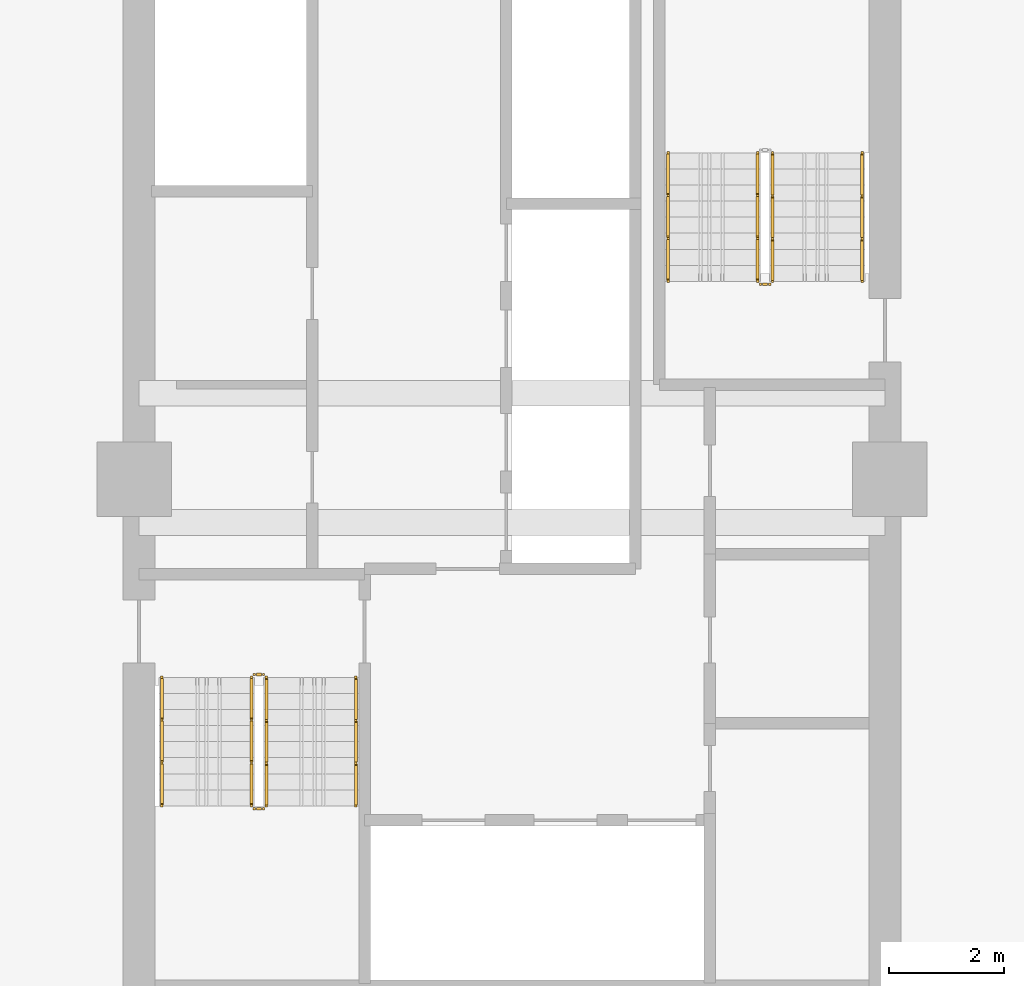
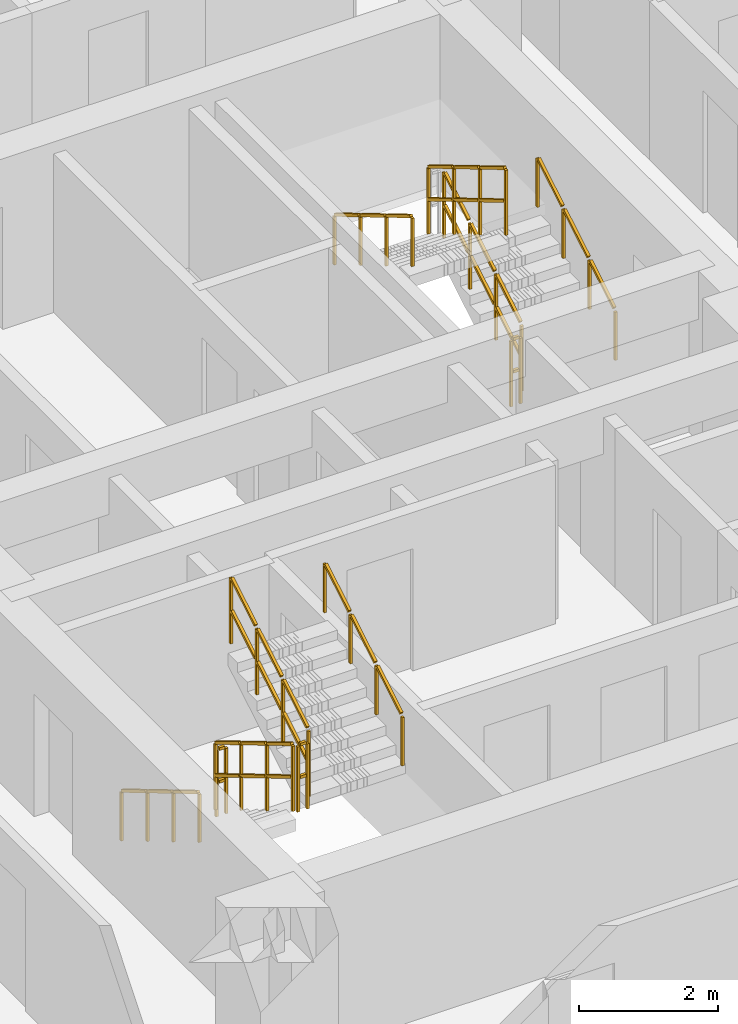
# One storey, part 10 of 12: 11 railings.
"""IFC4 building model written with IfcOpenShell, lengths in metres."""

from ifc_helpers import new_model, si_unit, direction, frame, origin, origin_2d, place, context, subcontext, project, spatial, rectangle, extrude, material, type_object, element, save


model = new_model("IFC4")

# Units and contexts
model_context = context("Model", 3, precision=1e-05, world=origin(), true_north=direction((0.0, 1.0)))
body_context = subcontext(model_context, "Body", "Model", "MODEL_VIEW")
ifc_project = project(units=[si_unit("LENGTHUNIT", "METRE"), si_unit("AREAUNIT", "SQUARE_METRE"), si_unit("VOLUMEUNIT", "CUBIC_METRE"), si_unit("PLANEANGLEUNIT", "RADIAN"), si_unit("MASSUNIT", "GRAM", prefix="KILO")], contexts=[model_context])

# Site, building, storey
site_placement = place(None, origin())
site = spatial("IfcSite", under=ifc_project, at=site_placement, CompositionType="ELEMENT")
building_placement = place(site_placement, origin())
building = spatial("IfcBuilding", under=site, at=building_placement, Name="Saelheon Loggia Tower", CompositionType="ELEMENT")
storey_placement = place(building_placement, frame((0.0, 0.0, 95.85009765625)))
storey = spatial("IfcBuildingStorey", under=building, at=storey_placement, Name="L30", CompositionType="ELEMENT", Elevation=95.85009765625)

# Railings
ifc_material_1 = material(Name="Galvanised Steel S275 Stairwell Guardrail", Category="steel")
railing_type_1 = type_object("IfcRailingType", Name="Guard_StairWell_RL_STG", PredefinedType="GUARDRAIL", material=ifc_material_1)
railing_1_placement = place(storey_placement, frame((33.4599609375, 23.550048828125, 0.16650390625)))
element("IfcRailing", 1, at=railing_1_placement, inside=storey, type_object=railing_type_1, Name="L30 ST1 stair guard 1", PredefinedType="GUARDRAIL", context=body_context, shape_type="SweptSolid", body=[
    extrude(rectangle(XDim=0.048095703125, YDim=0.048095703125, at=origin_2d()), frame((0.0, -0.028564453125, 1.19287109375), z_axis=(0.0, -0.859264461869, 0.511531606619), x_axis=(1.0, 0.0, 0.0)), (0.0, 0.0, 1.0), 0.802490234375),
    extrude(rectangle(XDim=0.048095703125, YDim=0.048095703125, at=origin_2d()), frame((0.0, -0.028564453125, 0.616943359375), z_axis=(0.0, -0.859264461869, 0.511531606619), x_axis=(1.0, 0.0, 0.0)), (0.0, 0.0, 1.0), 0.802490234375),
    extrude(rectangle(XDim=0.048095703125, YDim=0.048095703125, at=origin_2d()), frame((0.0, -0.775146484375, 1.637451171875), z_axis=(0.0, -0.859264461869, 0.511531606619), x_axis=(1.0, 0.0, 0.0)), (0.0, 0.0, 1.0), 0.802490234375),
    extrude(rectangle(XDim=0.048095703125, YDim=0.048095703125, at=origin_2d()), frame((0.0, -0.775146484375, 1.0615234375), z_axis=(0.0, -0.859264461869, 0.511531606619), x_axis=(1.0, 0.0, 0.0)), (0.0, 0.0, 1.0), 0.802490234375),
    extrude(rectangle(XDim=0.048095703125, YDim=0.048095703125, at=origin_2d()), frame((0.0, -1.52197265625, 2.081787109375), z_axis=(0.0, -0.859264461869, 0.511531606619), x_axis=(1.0, 0.0, 0.0)), (0.0, 0.0, 1.0), 0.802490234375),
    extrude(rectangle(XDim=0.048095703125, YDim=0.048095703125, at=origin_2d()), frame((0.0, -1.52197265625, 1.505859375), z_axis=(0.0, -0.859264461869, 0.511531606619), x_axis=(1.0, 0.0, 0.0)), (0.0, 0.0, 1.0), 0.802490234375),
    extrude(rectangle(XDim=0.0419921875, YDim=0.0419921875, at=origin_2d()), origin(), (0.0, 0.0, 1.0), 1.14794921875),
    extrude(rectangle(XDim=0.0419921875, YDim=0.0419921875, at=origin_2d()), frame((0.0, -0.74658203125, 0.444580078125)), (0.0, 0.0, 1.0), 1.14794921875),
    extrude(rectangle(XDim=0.0419921875, YDim=0.0419921875, at=origin_2d()), frame((0.0, -1.493408203125, 0.888916015625)), (0.0, 0.0, 1.0), 1.14794921875),
    extrude(rectangle(XDim=0.0419921875, YDim=0.0419921875, at=origin_2d()), frame((0.0, -2.239990234375, 1.33349609375)), (0.0, 0.0, 1.0), 1.14794921875),
])
railing_2_placement = place(storey_placement, frame((33.510009765625, 21.260009765625, 1.5)))
element("IfcRailing", 2, at=railing_2_placement, inside=storey, type_object=railing_type_1, Name="L30 ST1 stair guard 2", PredefinedType="GUARDRAIL", context=body_context, shape_type="SweptSolid", body=[
    extrude(rectangle(XDim=0.048095703125, YDim=0.048095703125, at=origin_2d()), frame((0.033203125, 0.0, 1.17578125), z_axis=(1.0, 0.0, 0.0), x_axis=(0.0, 1.0, 0.0)), (0.0, 0.0, 1.0), 0.093505859375),
    extrude(rectangle(XDim=0.048095703125, YDim=0.048095703125, at=origin_2d()), frame((0.033203125, 0.0, 0.60009765625), z_axis=(1.0, 0.0, 0.0), x_axis=(0.0, 1.0, 0.0)), (0.0, 0.0, 1.0), 0.093505859375),
    extrude(rectangle(XDim=0.0419921875, YDim=0.0419921875, at=origin_2d()), origin(), (0.0, 0.0, 1.0), 1.14794921875),
    extrude(rectangle(XDim=0.0419921875, YDim=0.0419921875, at=origin_2d()), frame((0.159912109375, 0.0, 0.0)), (0.0, 0.0, 1.0), 1.14794921875),
])
railing_3_placement = place(storey_placement, frame((33.719970703125, 21.31005859375, 1.66650390625)))
element("IfcRailing", 3, at=railing_3_placement, inside=storey, type_object=railing_type_1, Name="L30 ST1 stair guard 3", PredefinedType="GUARDRAIL", context=body_context, shape_type="SweptSolid", body=[
    extrude(rectangle(XDim=0.048095703125, YDim=0.048095703125, at=origin_2d()), frame((0.0, 0.028564453125, 1.19287109375), z_axis=(0.0, 0.859264461869, 0.511531606619), x_axis=(-1.0, 0.0, 0.0)), (0.0, 0.0, 1.0), 0.802490234375),
    extrude(rectangle(XDim=0.048095703125, YDim=0.048095703125, at=origin_2d()), frame((0.0, 0.028564453125, 0.616943359375), z_axis=(0.0, 0.859264461869, 0.511531606619), x_axis=(-1.0, 0.0, 0.0)), (0.0, 0.0, 1.0), 0.802490234375),
    extrude(rectangle(XDim=0.048095703125, YDim=0.048095703125, at=origin_2d()), frame((0.0, 0.775146484375, 1.637451171875), z_axis=(0.0, 0.859264461869, 0.511531606619), x_axis=(-1.0, 0.0, 0.0)), (0.0, 0.0, 1.0), 0.802490234375),
    extrude(rectangle(XDim=0.048095703125, YDim=0.048095703125, at=origin_2d()), frame((0.0, 0.775146484375, 1.0615234375), z_axis=(0.0, 0.859264461869, 0.511531606619), x_axis=(-1.0, 0.0, 0.0)), (0.0, 0.0, 1.0), 0.802490234375),
    extrude(rectangle(XDim=0.048095703125, YDim=0.048095703125, at=origin_2d()), frame((0.0, 1.52197265625, 2.081787109375), z_axis=(0.0, 0.859264461869, 0.511531606619), x_axis=(-1.0, 0.0, 0.0)), (0.0, 0.0, 1.0), 0.802490234375),
    extrude(rectangle(XDim=0.048095703125, YDim=0.048095703125, at=origin_2d()), frame((0.0, 1.52197265625, 1.505859375), z_axis=(0.0, 0.859264461869, 0.511531606619), x_axis=(-1.0, 0.0, 0.0)), (0.0, 0.0, 1.0), 0.802490234375),
    extrude(rectangle(XDim=0.0419921875, YDim=0.0419921875, at=origin_2d()), origin(), (0.0, 0.0, 1.0), 1.14794921875),
    extrude(rectangle(XDim=0.0419921875, YDim=0.0419921875, at=origin_2d()), frame((0.0, 0.74658203125, 0.444580078125)), (0.0, 0.0, 1.0), 1.14794921875),
    extrude(rectangle(XDim=0.0419921875, YDim=0.0419921875, at=origin_2d()), frame((0.0, 1.493408203125, 0.888916015625)), (0.0, 0.0, 1.0), 1.14794921875),
    extrude(rectangle(XDim=0.0419921875, YDim=0.0419921875, at=origin_2d()), frame((0.0, 2.239990234375, 1.33349609375)), (0.0, 0.0, 1.0), 1.14794921875),
])
railing_4_placement = place(storey_placement, frame((33.510009765625, 23.60009765625, 0.0)))
element("IfcRailing", 4, at=railing_4_placement, inside=storey, type_object=railing_type_1, Name="L30 ST1 stair guard 4", PredefinedType="GUARDRAIL", context=body_context, shape_type="SweptSolid", body=[
    extrude(rectangle(XDim=0.048095703125, YDim=0.048095703125, at=origin_2d()), frame((0.033203125, 0.0, 1.17578125), z_axis=(1.0, 0.0, 0.0), x_axis=(0.0, 1.0, 0.0)), (0.0, 0.0, 1.0), 0.093505859375),
    extrude(rectangle(XDim=0.048095703125, YDim=0.048095703125, at=origin_2d()), frame((0.033203125, 0.0, 0.60009765625), z_axis=(1.0, 0.0, 0.0), x_axis=(0.0, 1.0, 0.0)), (0.0, 0.0, 1.0), 0.093505859375),
    extrude(rectangle(XDim=0.0419921875, YDim=0.0419921875, at=origin_2d()), origin(), (0.0, 0.0, 1.0), 1.14794921875),
    extrude(rectangle(XDim=0.0419921875, YDim=0.0419921875, at=origin_2d()), frame((0.159912109375, 0.0, 0.0)), (0.0, 0.0, 1.0), 1.14794921875),
])
railing_5_placement = place(storey_placement, frame((42.5400390625, 30.449951171875, 0.16650390625)))
element("IfcRailing", 5, at=railing_5_placement, inside=storey, type_object=railing_type_1, Name="L30 ST2 stair guard 1", PredefinedType="GUARDRAIL", context=body_context, shape_type="SweptSolid", body=[
    extrude(rectangle(XDim=0.048095703125, YDim=0.048095703125, at=origin_2d()), frame((0.0, 0.028564453125, 1.19287109375), z_axis=(0.0, 0.859264461869, 0.511531606619), x_axis=(-1.0, 0.0, 0.0)), (0.0, 0.0, 1.0), 0.802490234375),
    extrude(rectangle(XDim=0.048095703125, YDim=0.048095703125, at=origin_2d()), frame((0.0, 0.028564453125, 0.616943359375), z_axis=(0.0, 0.859264461869, 0.511531606619), x_axis=(-1.0, 0.0, 0.0)), (0.0, 0.0, 1.0), 0.802490234375),
    extrude(rectangle(XDim=0.048095703125, YDim=0.048095703125, at=origin_2d()), frame((0.0, 0.775146484375, 1.637451171875), z_axis=(0.0, 0.859264461869, 0.511531606619), x_axis=(-1.0, 0.0, 0.0)), (0.0, 0.0, 1.0), 0.802490234375),
    extrude(rectangle(XDim=0.048095703125, YDim=0.048095703125, at=origin_2d()), frame((0.0, 0.775146484375, 1.0615234375), z_axis=(0.0, 0.859264461869, 0.511531606619), x_axis=(-1.0, 0.0, 0.0)), (0.0, 0.0, 1.0), 0.802490234375),
    extrude(rectangle(XDim=0.048095703125, YDim=0.048095703125, at=origin_2d()), frame((0.0, 1.52197265625, 2.081787109375), z_axis=(0.0, 0.859264461869, 0.511531606619), x_axis=(-1.0, 0.0, 0.0)), (0.0, 0.0, 1.0), 0.802490234375),
    extrude(rectangle(XDim=0.048095703125, YDim=0.048095703125, at=origin_2d()), frame((0.0, 1.52197265625, 1.505859375), z_axis=(0.0, 0.859264461869, 0.511531606619), x_axis=(-1.0, 0.0, 0.0)), (0.0, 0.0, 1.0), 0.802490234375),
    extrude(rectangle(XDim=0.0419921875, YDim=0.0419921875, at=origin_2d()), origin(), (0.0, 0.0, 1.0), 1.14794921875),
    extrude(rectangle(XDim=0.0419921875, YDim=0.0419921875, at=origin_2d()), frame((0.0, 0.74658203125, 0.444580078125)), (0.0, 0.0, 1.0), 1.14794921875),
    extrude(rectangle(XDim=0.0419921875, YDim=0.0419921875, at=origin_2d()), frame((0.0, 1.493408203125, 0.888916015625)), (0.0, 0.0, 1.0), 1.14794921875),
    extrude(rectangle(XDim=0.0419921875, YDim=0.0419921875, at=origin_2d()), frame((0.0, 2.239990234375, 1.33349609375)), (0.0, 0.0, 1.0), 1.14794921875),
])
railing_6_placement = place(storey_placement, frame((42.280029296875, 32.68994140625, 1.66650390625)))
element("IfcRailing", 6, at=railing_6_placement, inside=storey, type_object=railing_type_1, Name="L30 ST2 stair guard 3", PredefinedType="GUARDRAIL", context=body_context, shape_type="SweptSolid", body=[
    extrude(rectangle(XDim=0.048095703125, YDim=0.048095703125, at=origin_2d()), frame((0.0, -0.028564453125, 1.19287109375), z_axis=(0.0, -0.859264461869, 0.511531606619), x_axis=(1.0, 0.0, 0.0)), (0.0, 0.0, 1.0), 0.802490234375),
    extrude(rectangle(XDim=0.048095703125, YDim=0.048095703125, at=origin_2d()), frame((0.0, -0.028564453125, 0.616943359375), z_axis=(0.0, -0.859264461869, 0.511531606619), x_axis=(1.0, 0.0, 0.0)), (0.0, 0.0, 1.0), 0.802490234375),
    extrude(rectangle(XDim=0.048095703125, YDim=0.048095703125, at=origin_2d()), frame((0.0, -0.775146484375, 1.637451171875), z_axis=(0.0, -0.859264461869, 0.511531606619), x_axis=(1.0, 0.0, 0.0)), (0.0, 0.0, 1.0), 0.802490234375),
    extrude(rectangle(XDim=0.048095703125, YDim=0.048095703125, at=origin_2d()), frame((0.0, -0.775146484375, 1.0615234375), z_axis=(0.0, -0.859264461869, 0.511531606619), x_axis=(1.0, 0.0, 0.0)), (0.0, 0.0, 1.0), 0.802490234375),
    extrude(rectangle(XDim=0.048095703125, YDim=0.048095703125, at=origin_2d()), frame((0.0, -1.52197265625, 2.081787109375), z_axis=(0.0, -0.859264461869, 0.511531606619), x_axis=(1.0, 0.0, 0.0)), (0.0, 0.0, 1.0), 0.802490234375),
    extrude(rectangle(XDim=0.048095703125, YDim=0.048095703125, at=origin_2d()), frame((0.0, -1.52197265625, 1.505859375), z_axis=(0.0, -0.859264461869, 0.511531606619), x_axis=(1.0, 0.0, 0.0)), (0.0, 0.0, 1.0), 0.802490234375),
    extrude(rectangle(XDim=0.0419921875, YDim=0.0419921875, at=origin_2d()), origin(), (0.0, 0.0, 1.0), 1.14794921875),
    extrude(rectangle(XDim=0.0419921875, YDim=0.0419921875, at=origin_2d()), frame((0.0, -0.74658203125, 0.444580078125)), (0.0, 0.0, 1.0), 1.14794921875),
    extrude(rectangle(XDim=0.0419921875, YDim=0.0419921875, at=origin_2d()), frame((0.0, -1.493408203125, 0.888916015625)), (0.0, 0.0, 1.0), 1.14794921875),
    extrude(rectangle(XDim=0.0419921875, YDim=0.0419921875, at=origin_2d()), frame((0.0, -2.239990234375, 1.33349609375)), (0.0, 0.0, 1.0), 1.14794921875),
])
railing_7_placement = place(storey_placement, frame((42.489990234375, 30.39990234375, 0.0)))
element("IfcRailing", 7, at=railing_7_placement, inside=storey, type_object=railing_type_1, Name="L30 ST2 stair guard 4", PredefinedType="GUARDRAIL", context=body_context, shape_type="SweptSolid", body=[
    extrude(rectangle(XDim=0.048095703125, YDim=0.048095703125, at=origin_2d()), frame((-0.033203125, 0.0, 1.17578125), z_axis=(-1.0, 0.0, 0.0), x_axis=(0.0, -1.0, 0.0)), (0.0, 0.0, 1.0), 0.093505859375),
    extrude(rectangle(XDim=0.048095703125, YDim=0.048095703125, at=origin_2d()), frame((-0.033203125, 0.0, 0.60009765625), z_axis=(-1.0, 0.0, 0.0), x_axis=(0.0, -1.0, 0.0)), (0.0, 0.0, 1.0), 0.093505859375),
    extrude(rectangle(XDim=0.0419921875, YDim=0.0419921875, at=origin_2d()), origin(), (0.0, 0.0, 1.0), 1.14794921875),
    extrude(rectangle(XDim=0.0419921875, YDim=0.0419921875, at=origin_2d()), frame((-0.159912109375, 0.0, 0.0)), (0.0, 0.0, 1.0), 1.14794921875),
])
ifc_material_2 = material(Name="Stainless Steel 304 Tubular Handrail", Category="steel")
railing_type_2 = type_object("IfcRailingType", Name="Handrail_Stair_RL_HR1", PredefinedType="HANDRAIL", material=ifc_material_2)
railing_8_placement = place(storey_placement, frame((31.89990234375, 23.550048828125, 0.16650390625)))
element("IfcRailing", 8, at=railing_8_placement, inside=storey, type_object=railing_type_2, Name="L30 ST1 stair handrail 1", PredefinedType="HANDRAIL", context=body_context, shape_type="SweptSolid", body=[
    extrude(rectangle(XDim=0.048095703125, YDim=0.048095703125, at=origin_2d()), frame((0.0, -0.028564453125, 0.892822265625), z_axis=(0.0, -0.859264461869, 0.511531606619), x_axis=(1.0, 0.0, 0.0)), (0.0, 0.0, 1.0), 0.802490234375),
    extrude(rectangle(XDim=0.048095703125, YDim=0.048095703125, at=origin_2d()), frame((0.0, -0.775146484375, 1.33740234375), z_axis=(0.0, -0.859264461869, 0.511531606619), x_axis=(1.0, 0.0, 0.0)), (0.0, 0.0, 1.0), 0.802490234375),
    extrude(rectangle(XDim=0.048095703125, YDim=0.048095703125, at=origin_2d()), frame((0.0, -1.52197265625, 1.78173828125), z_axis=(0.0, -0.859264461869, 0.511531606619), x_axis=(1.0, 0.0, 0.0)), (0.0, 0.0, 1.0), 0.802490234375),
    extrude(rectangle(XDim=0.0419921875, YDim=0.0419921875, at=origin_2d()), origin(), (0.0, 0.0, 1.0), 0.847900390625),
    extrude(rectangle(XDim=0.0419921875, YDim=0.0419921875, at=origin_2d()), frame((0.0, -0.74658203125, 0.444580078125)), (0.0, 0.0, 1.0), 0.847900390625),
    extrude(rectangle(XDim=0.0419921875, YDim=0.0419921875, at=origin_2d()), frame((0.0, -1.493408203125, 0.888916015625)), (0.0, 0.0, 1.0), 0.847900390625),
    extrude(rectangle(XDim=0.0419921875, YDim=0.0419921875, at=origin_2d()), frame((0.0, -2.239990234375, 1.33349609375)), (0.0, 0.0, 1.0), 0.847900390625),
])
for number, where, name in (
    (9, (35.280029296875, 21.31005859375, 1.66650390625), "L30 ST1 stair handrail 2"),
    (10, (44.10009765625, 30.449951171875, 0.16650390625), "L30 ST2 stair handrail 1"),
):
    element("IfcRailing", number, at=place(storey_placement, frame(where)), inside=storey, type_object=railing_type_2, Name=name, PredefinedType="HANDRAIL", context=body_context, shape_type="SweptSolid", body=[
        extrude(rectangle(XDim=0.048095703125, YDim=0.048095703125, at=origin_2d()), frame((0.0, 0.028564453125, 0.892822265625), z_axis=(0.0, 0.859264461869, 0.511531606619), x_axis=(-1.0, 0.0, 0.0)), (0.0, 0.0, 1.0), 0.802490234375),
        extrude(rectangle(XDim=0.048095703125, YDim=0.048095703125, at=origin_2d()), frame((0.0, 0.775146484375, 1.33740234375), z_axis=(0.0, 0.859264461869, 0.511531606619), x_axis=(-1.0, 0.0, 0.0)), (0.0, 0.0, 1.0), 0.802490234375),
        extrude(rectangle(XDim=0.048095703125, YDim=0.048095703125, at=origin_2d()), frame((0.0, 1.52197265625, 1.78173828125), z_axis=(0.0, 0.859264461869, 0.511531606619), x_axis=(-1.0, 0.0, 0.0)), (0.0, 0.0, 1.0), 0.802490234375),
        extrude(rectangle(XDim=0.0419921875, YDim=0.0419921875, at=origin_2d()), origin(), (0.0, 0.0, 1.0), 0.847900390625),
        extrude(rectangle(XDim=0.0419921875, YDim=0.0419921875, at=origin_2d()), frame((0.0, 0.74658203125, 0.444580078125)), (0.0, 0.0, 1.0), 0.847900390625),
        extrude(rectangle(XDim=0.0419921875, YDim=0.0419921875, at=origin_2d()), frame((0.0, 1.493408203125, 0.888916015625)), (0.0, 0.0, 1.0), 0.847900390625),
        extrude(rectangle(XDim=0.0419921875, YDim=0.0419921875, at=origin_2d()), frame((0.0, 2.239990234375, 1.33349609375)), (0.0, 0.0, 1.0), 0.847900390625),
    ])
railing_9_placement = place(storey_placement, frame((40.719970703125, 32.68994140625, 1.66650390625)))
element("IfcRailing", 11, at=railing_9_placement, inside=storey, type_object=railing_type_2, Name="L30 ST2 stair handrail 2", PredefinedType="HANDRAIL", context=body_context, shape_type="SweptSolid", body=[
    extrude(rectangle(XDim=0.048095703125, YDim=0.048095703125, at=origin_2d()), frame((0.0, -0.028564453125, 0.892822265625), z_axis=(0.0, -0.859264461869, 0.511531606619), x_axis=(1.0, 0.0, 0.0)), (0.0, 0.0, 1.0), 0.802490234375),
    extrude(rectangle(XDim=0.048095703125, YDim=0.048095703125, at=origin_2d()), frame((0.0, -0.775146484375, 1.33740234375), z_axis=(0.0, -0.859264461869, 0.511531606619), x_axis=(1.0, 0.0, 0.0)), (0.0, 0.0, 1.0), 0.802490234375),
    extrude(rectangle(XDim=0.048095703125, YDim=0.048095703125, at=origin_2d()), frame((0.0, -1.52197265625, 1.78173828125), z_axis=(0.0, -0.859264461869, 0.511531606619), x_axis=(1.0, 0.0, 0.0)), (0.0, 0.0, 1.0), 0.802490234375),
    extrude(rectangle(XDim=0.0419921875, YDim=0.0419921875, at=origin_2d()), origin(), (0.0, 0.0, 1.0), 0.847900390625),
    extrude(rectangle(XDim=0.0419921875, YDim=0.0419921875, at=origin_2d()), frame((0.0, -0.74658203125, 0.444580078125)), (0.0, 0.0, 1.0), 0.847900390625),
    extrude(rectangle(XDim=0.0419921875, YDim=0.0419921875, at=origin_2d()), frame((0.0, -1.493408203125, 0.888916015625)), (0.0, 0.0, 1.0), 0.847900390625),
    extrude(rectangle(XDim=0.0419921875, YDim=0.0419921875, at=origin_2d()), frame((0.0, -2.239990234375, 1.33349609375)), (0.0, 0.0, 1.0), 0.847900390625),
])

save(model, "model.ifc")
